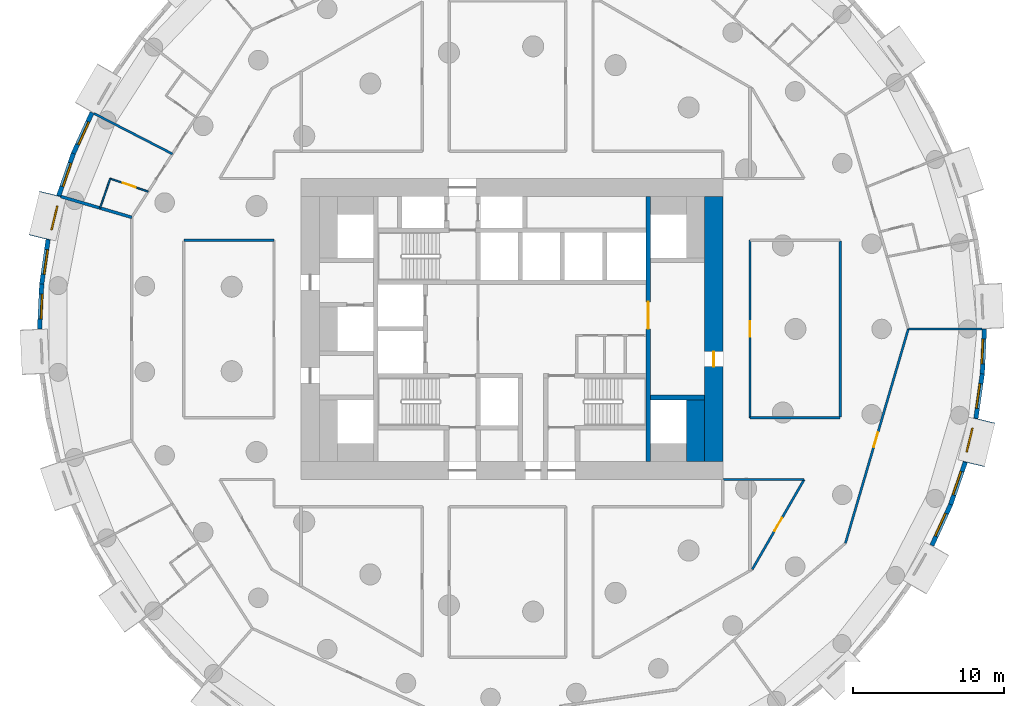
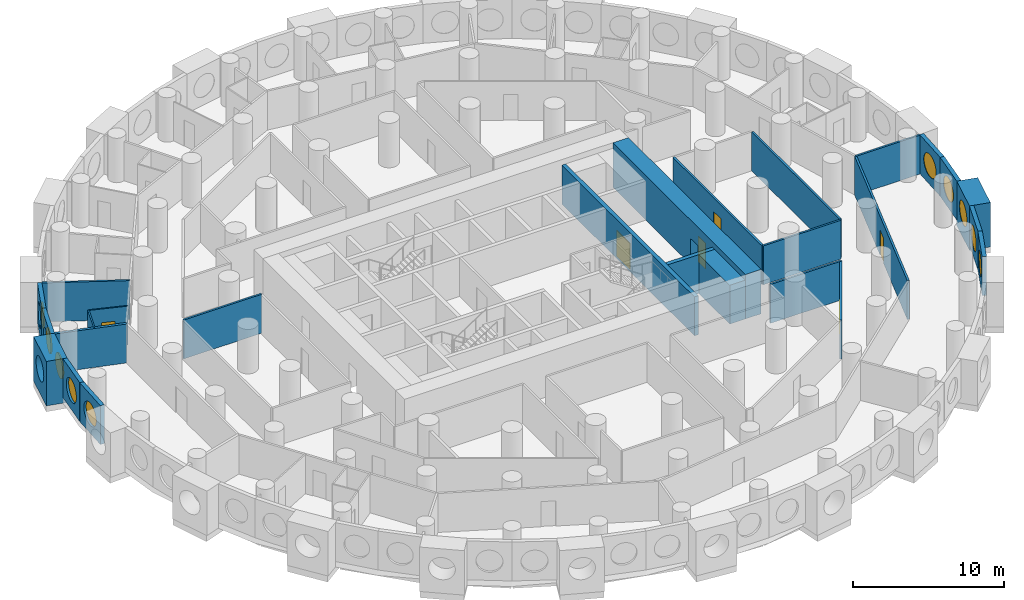
# One storey, part 6 of 12: 26 walls, 10 windows, 6 doors, 16 openings.
"""IFC4 building model written with IfcOpenShell, lengths in metres."""

from ifc_helpers import new_model, si_unit, direction, frame, frame_2d, origin, origin_2d, place, context, subcontext, project, spatial, rectangle, circle, extrude, material, layer, layer_set, type_object, element, fill, save


model = new_model("IFC4")

# Units and contexts
model_context = context("Model", 3, precision=1e-05, world=origin(), true_north=direction((0.0, 1.0)))
body_context = subcontext(model_context, "Body", "Model", "MODEL_VIEW")
ifc_project = project(units=[si_unit("LENGTHUNIT", "METRE"), si_unit("AREAUNIT", "SQUARE_METRE"), si_unit("VOLUMEUNIT", "CUBIC_METRE"), si_unit("PLANEANGLEUNIT", "RADIAN"), si_unit("MASSUNIT", "GRAM", prefix="KILO")], contexts=[model_context])

# Site, building, storey
site_placement = place(None, origin())
site = spatial("IfcSite", under=ifc_project, at=site_placement, CompositionType="ELEMENT")
building_placement = place(site_placement, origin())
building = spatial("IfcBuilding", under=site, at=building_placement, Name="Tracery Tower", CompositionType="ELEMENT")
storey_placement = place(building_placement, frame((0.0, 0.0, 82.199951171875)))
storey = spatial("IfcBuildingStorey", under=building, at=storey_placement, Name="L20", CompositionType="ELEMENT", Elevation=82.199951171875)

# Wall
ifc_material_1 = material(Name="Concrete C60/75", Category="concrete")
ifc_layer_1 = layer(ifc_material_1, 1.199951171875)
ifc_layer_set_1 = layer_set([ifc_layer_1], Name="Core strip wall 1200 C60")
wall_type_1 = type_object("IfcWallType", Name="Core strip wall 1200 C60", PredefinedType="SOLIDWALL", material=ifc_layer_set_1)
wall_1_placement = place(storey_placement, frame((12.199951171875, -8.800048828125, 0.0), z_axis=(0.0, 0.0, 1.0), x_axis=(0.0, 1.0, 0.0)))
element("IfcWall", 1, at=wall_1_placement, inside=storey, type_object=wall_type_1, Name="L20 wing strip +1 -9.4", PredefinedType="SOLIDWALL", context=body_context, shape_type="SweptSolid", body=[
    extrude(rectangle(XDim=4.10009765625, YDim=1.199951171875, at=frame_2d((2.050048828125, 0.0))), origin(), (0.0, 0.0, 1.0), 3.150146484375),
])

# Wall, opening, door
ifc_material_2 = material(Name="Concrete C60/75", Category="concrete")
ifc_layer_2 = layer(ifc_material_2, 1.199951171875)
ifc_layer_set_2 = layer_set([ifc_layer_2], Name="Core wall 1200 C60")
wall_type_2 = type_object("IfcWallType", Name="Core wall 1200 C60", PredefinedType="SOLIDWALL", material=ifc_layer_set_2)
wall_2_placement = place(storey_placement, frame((13.39990234375, -8.800048828125, 0.0), z_axis=(0.0, 0.0, 1.0), x_axis=(0.0, 1.0, 0.0)))
wall_2 = element("IfcWall", 2, at=wall_2_placement, inside=storey, type_object=wall_type_2, Name="L20 outer E", PredefinedType="SOLIDWALL", context=body_context, shape_type="SweptSolid", body=[
    extrude(rectangle(XDim=17.60009765625, YDim=1.199951171875, at=frame_2d((8.800048828125, 0.0))), origin(), (0.0, 0.0, 1.0), 3.60009765625),
])
opening_1_placement = place(wall_2_placement, frame((6.300048828125, 0.0, 0.0)))
opening_1 = element("IfcOpeningElement", 3, at=opening_1_placement, cuts=wall_2, Name="Opening KD18", PredefinedType="OPENING", context=body_context, shape_type="SweptSolid", body=[
    extrude(rectangle(XDim=1.0, YDim=2.10009765625, at=frame_2d((0.5, 1.050048828125))), frame((0.0, 0.60009765625, 0.0), z_axis=(0.0, -1.0, 0.0), x_axis=(1.0, 0.0, 0.0)), (0.0, 0.0, 1.0), 1.199951171875),
])
ifc_material_3 = material(Name="Steel fire door", Category="steel")
door_type_1 = type_object("IfcDoorType", Name="Core exit door 1000", OperationType="NOTDEFINED", PredefinedType="DOOR", material=ifc_material_3)
door_1_placement = place(opening_1_placement, origin())
door_1 = element("IfcDoor", 4, at=door_1_placement, inside=storey, type_object=door_type_1, Name="Core exit door", OperationType="DOUBLE_DOOR_SINGLE_SWING", OverallHeight=2.10009765625, OverallWidth=1.0, PredefinedType="DOOR", context=body_context, shape_type="SweptSolid", body=[
    extrude(rectangle(XDim=1.0, YDim=2.10009765625, at=frame_2d((0.5, 1.050048828125))), frame((0.0, 0.02490234375, 0.0), z_axis=(0.0, -1.0, 0.0), x_axis=(1.0, 0.0, 0.0)), (0.0, 0.0, 1.0), 0.050048828125),
])
fill(opening_1, door_1)

# Wall, opening, window
ifc_material_4 = material(Name="Precast concrete C50/60", Category="concrete")
ifc_layer_3 = layer(ifc_material_4, 1.449951171875)
ifc_layer_set_3 = layer_set([ifc_layer_3], Name="Deep-set bay unit 3000 x 3600, slab edge 450")
wall_type_3 = type_object("IfcWallType", Name="Deep-set bay unit 3000 x 3600, slab edge 450", PredefinedType="ELEMENTEDWALL", material=ifc_layer_set_3)
wall_3_placement = place(storey_placement, frame((-30.66064453125, 8.981689453125, -0.449951171875), z_axis=(0.0, 0.0, 1.0), x_axis=(-0.235751415068, -0.971813392732, 0.0)))
wall_3 = element("IfcWall", 5, at=wall_3_placement, inside=storey, type_object=wall_type_3, Name="Deep-set bay unit 31 at L20", PredefinedType="ELEMENTEDWALL", context=body_context, shape_type="SweptSolid", body=[
    extrude(rectangle(XDim=3.0, YDim=1.449951171875, at=frame_2d((1.5, 0.0))), origin(), (0.0, 0.0, 1.0), 3.60009765625),
])
opening_2_placement = place(wall_3_placement, frame((1.5, 0.0, 2.0)))
opening_2 = element("IfcOpeningElement", 6, at=opening_2_placement, cuts=wall_3, Name="Opening WN1", PredefinedType="OPENING", context=body_context, shape_type="SweptSolid", body=[
    extrude(circle(Radius=0.9000244140625, at=origin_2d()), frame((0.0, 0.73486328125, 0.0), z_axis=(0.0, -1.0, 0.0), x_axis=(1.0, 0.0, 0.0)), (0.0, 0.0, 1.0), 1.469970703125),
])
ifc_material_5 = material(Name="Aluminium frame with tinted double glazing", Category="aluminium")
window_type = type_object("IfcWindowType", Name="Round window 1800", PartitioningType="SINGLE_PANEL", PredefinedType="WINDOW", material=ifc_material_5)
window_1_placement = place(opening_2_placement, origin())
window_1 = element("IfcWindow", 7, at=window_1_placement, inside=storey, type_object=window_type, Name="Round window 31 at L20", OverallHeight=1.800048828125, OverallWidth=1.800048828125, PartitioningType="SINGLE_PANEL", PredefinedType="WINDOW", context=body_context, shape_type="SweptSolid", body=[
    extrude(circle(Radius=0.9000244140625, at=origin_2d()), frame((0.0, 0.69482421875, 0.0), z_axis=(0.0, -1.0, 0.0), x_axis=(1.0, 0.0, 0.0)), (0.0, 0.0, 1.0), 0.10009765625),
])
fill(opening_2, window_1)

wall_4_placement = place(storey_placement, frame((30.66064453125, -8.981689453125, -0.449951171875), z_axis=(0.0, 0.0, 1.0), x_axis=(0.235751415068, 0.971813392732, 0.0)))
wall_4 = element("IfcWall", 8, at=wall_4_placement, inside=storey, type_object=wall_type_3, Name="Deep-set bay unit 64 at L20", PredefinedType="ELEMENTEDWALL", context=body_context, shape_type="SweptSolid", body=[
    extrude(rectangle(XDim=3.0, YDim=1.449951171875, at=frame_2d((1.5, 0.0))), origin(), (0.0, 0.0, 1.0), 3.60009765625),
])
opening_3_placement = place(wall_4_placement, frame((1.5, 0.0, 2.0)))
opening_3 = element("IfcOpeningElement", 9, at=opening_3_placement, cuts=wall_4, Name="Opening WN1", PredefinedType="OPENING", context=body_context, shape_type="SweptSolid", body=[
    extrude(circle(Radius=0.9000244140625, at=origin_2d()), frame((0.0, 0.73486328125, 0.0), z_axis=(0.0, -1.0, 0.0), x_axis=(1.0, 0.0, 0.0)), (0.0, 0.0, 1.0), 1.469970703125),
])
window_2_placement = place(opening_3_placement, origin())
window_2 = element("IfcWindow", 10, at=window_2_placement, inside=storey, type_object=window_type, Name="Round window 64 at L20", OverallHeight=1.800048828125, OverallWidth=1.800048828125, PartitioningType="SINGLE_PANEL", PredefinedType="WINDOW", context=body_context, shape_type="SweptSolid", body=[
    extrude(circle(Radius=0.9000244140625, at=origin_2d()), frame((0.0, 0.69482421875, 0.0), z_axis=(0.0, -1.0, 0.0), x_axis=(1.0, 0.0, 0.0)), (0.0, 0.0, 1.0), 0.10009765625),
])
fill(opening_3, window_2)

ifc_material_6 = material(Name="Precast concrete C50/60", Category="concrete")
ifc_layer_4 = layer(ifc_material_6, 0.300048828125)
ifc_layer_set_4 = layer_set([ifc_layer_4], Name="Facade panel 3000 x 3150")
wall_type_4 = type_object("IfcWallType", Name="Facade panel 3000 x 3150", PredefinedType="SOLIDWALL", material=ifc_layer_set_4)
wall_5_placement = place(storey_placement, frame((-27.88916015625, 14.37109375, 0.0), z_axis=(0.0, 0.0, 1.0), x_axis=(-0.415407317162, -0.909635509888, 0.0)))
wall_5 = element("IfcWall", 11, at=wall_5_placement, inside=storey, type_object=wall_type_4, Name="Facade panel 29 at L20", PredefinedType="SOLIDWALL", context=body_context, shape_type="SweptSolid", body=[
    extrude(rectangle(XDim=2.979736328125, YDim=0.300048828125, at=frame_2d((1.48974609375, 0.0))), origin(), (0.0, 0.0, 1.0), 3.150146484375),
])
opening_4_placement = place(wall_5_placement, frame((1.48974609375, 0.0, 1.5498046875)))
opening_4 = element("IfcOpeningElement", 12, at=opening_4_placement, cuts=wall_5, Name="Opening WN1", PredefinedType="OPENING", context=body_context, shape_type="SweptSolid", body=[
    extrude(circle(Radius=0.9000244140625, at=origin_2d()), frame((0.0, 0.159912109375, 0.0), z_axis=(0.0, -1.0, 0.0), x_axis=(1.0, 0.0, 0.0)), (0.0, 0.0, 1.0), 0.320068359375),
])
window_3_placement = place(opening_4_placement, origin())
window_3 = element("IfcWindow", 13, at=window_3_placement, inside=storey, type_object=window_type, Name="Round window 29 at L20", OverallHeight=1.800048828125, OverallWidth=1.800048828125, PartitioningType="SINGLE_PANEL", PredefinedType="WINDOW", context=body_context, shape_type="SweptSolid", body=[
    extrude(circle(Radius=0.9000244140625, at=origin_2d()), frame((0.0, 0.1201171875, 0.0), z_axis=(0.0, -1.0, 0.0), x_axis=(1.0, 0.0, 0.0)), (0.0, 0.0, 1.0), 0.10009765625),
])
fill(opening_4, window_3)

wall_6_placement = place(storey_placement, frame((-29.126953125, 11.66064453125, 0.0), z_axis=(0.0, 0.0, 1.0), x_axis=(-0.327096492592, -0.944990944154, 0.0)))
wall_6 = element("IfcWall", 14, at=wall_6_placement, inside=storey, type_object=wall_type_4, Name="Facade panel 30 at L20", PredefinedType="SOLIDWALL", context=body_context, shape_type="SweptSolid", body=[
    extrude(rectangle(XDim=2.9794921875, YDim=0.300048828125, at=frame_2d((1.48974609375, 0.0))), origin(), (0.0, 0.0, 1.0), 3.150146484375),
])
opening_5_placement = place(wall_6_placement, frame((1.48974609375, 0.0, 1.5498046875)))
opening_5 = element("IfcOpeningElement", 15, at=opening_5_placement, cuts=wall_6, Name="Opening WN1", PredefinedType="OPENING", context=body_context, shape_type="SweptSolid", body=[
    extrude(circle(Radius=0.9000244140625, at=origin_2d()), frame((0.0, 0.159912109375, 0.0), z_axis=(0.0, -1.0, 0.0), x_axis=(1.0, 0.0, 0.0)), (0.0, 0.0, 1.0), 0.320068359375),
])
window_4_placement = place(opening_5_placement, origin())
window_4 = element("IfcWindow", 16, at=window_4_placement, inside=storey, type_object=window_type, Name="Round window 30 at L20", OverallHeight=1.800048828125, OverallWidth=1.800048828125, PartitioningType="SINGLE_PANEL", PredefinedType="WINDOW", context=body_context, shape_type="SweptSolid", body=[
    extrude(circle(Radius=0.9000244140625, at=origin_2d()), frame((0.0, 0.1201171875, 0.0), z_axis=(0.0, -1.0, 0.0), x_axis=(1.0, 0.0, 0.0)), (0.0, 0.0, 1.0), 0.10009765625),
])
fill(opening_5, window_4)

wall_7_placement = place(storey_placement, frame((-30.808349609375, 5.931640625, 0.0), z_axis=(0.0, 0.0, 1.0), x_axis=(-0.142327539111, -0.989819615693, 0.0)))
wall_7 = element("IfcWall", 17, at=wall_7_placement, inside=storey, type_object=wall_type_4, Name="Facade panel 32 at L20", PredefinedType="SOLIDWALL", context=body_context, shape_type="SweptSolid", body=[
    extrude(rectangle(XDim=2.9794921875, YDim=0.300048828125, at=frame_2d((1.48974609375, 0.0))), origin(), (0.0, 0.0, 1.0), 3.150146484375),
])
opening_6_placement = place(wall_7_placement, frame((1.48974609375, 0.0, 1.5498046875)))
opening_6 = element("IfcOpeningElement", 18, at=opening_6_placement, cuts=wall_7, Name="Opening WN1", PredefinedType="OPENING", context=body_context, shape_type="SweptSolid", body=[
    extrude(circle(Radius=0.9000244140625, at=origin_2d()), frame((0.0, 0.159912109375, 0.0), z_axis=(0.0, -1.0, 0.0), x_axis=(1.0, 0.0, 0.0)), (0.0, 0.0, 1.0), 0.320068359375),
])
window_5_placement = place(opening_6_placement, origin())
window_5 = element("IfcWindow", 19, at=window_5_placement, inside=storey, type_object=window_type, Name="Round window 32 at L20", OverallHeight=1.800048828125, OverallWidth=1.800048828125, PartitioningType="SINGLE_PANEL", PredefinedType="WINDOW", context=body_context, shape_type="SweptSolid", body=[
    extrude(circle(Radius=0.9000244140625, at=origin_2d()), frame((0.0, 0.1201171875, 0.0), z_axis=(0.0, -1.0, 0.0), x_axis=(1.0, 0.0, 0.0)), (0.0, 0.0, 1.0), 0.10009765625),
])
fill(opening_6, window_5)

wall_8_placement = place(storey_placement, frame((-31.232421875, 2.982421875, 0.0), z_axis=(0.0, 0.0, 1.0), x_axis=(-0.047522328113, -0.998870175914, 0.0)))
wall_8 = element("IfcWall", 20, at=wall_8_placement, inside=storey, type_object=wall_type_4, Name="Facade panel 33 at L20", PredefinedType="SOLIDWALL", context=body_context, shape_type="SweptSolid", body=[
    extrude(rectangle(XDim=2.979736328125, YDim=0.300048828125, at=frame_2d((1.48974609375, 0.0))), origin(), (0.0, 0.0, 1.0), 3.150146484375),
])
opening_7_placement = place(wall_8_placement, frame((1.48974609375, 0.0, 1.5498046875)))
opening_7 = element("IfcOpeningElement", 21, at=opening_7_placement, cuts=wall_8, Name="Opening WN1", PredefinedType="OPENING", context=body_context, shape_type="SweptSolid", body=[
    extrude(circle(Radius=0.9000244140625, at=origin_2d()), frame((0.0, 0.159912109375, 0.0), z_axis=(0.0, -1.0, 0.0), x_axis=(1.0, 0.0, 0.0)), (0.0, 0.0, 1.0), 0.320068359375),
])
window_6_placement = place(opening_7_placement, origin())
window_6 = element("IfcWindow", 22, at=window_6_placement, inside=storey, type_object=window_type, Name="Round window 33 at L20", OverallHeight=1.800048828125, OverallWidth=1.800048828125, PartitioningType="SINGLE_PANEL", PredefinedType="WINDOW", context=body_context, shape_type="SweptSolid", body=[
    extrude(circle(Radius=0.9000244140625, at=origin_2d()), frame((0.0, 0.1201171875, 0.0), z_axis=(0.0, -1.0, 0.0), x_axis=(1.0, 0.0, 0.0)), (0.0, 0.0, 1.0), 0.10009765625),
])
fill(opening_7, window_6)

wall_9_placement = place(storey_placement, frame((27.88916015625, -14.37109375, 0.0), z_axis=(0.0, 0.0, 1.0), x_axis=(0.415407317162, 0.909635509888, 0.0)))
wall_9 = element("IfcWall", 23, at=wall_9_placement, inside=storey, type_object=wall_type_4, Name="Facade panel 62 at L20", PredefinedType="SOLIDWALL", context=body_context, shape_type="SweptSolid", body=[
    extrude(rectangle(XDim=2.979736328125, YDim=0.300048828125, at=frame_2d((1.48974609375, 0.0))), origin(), (0.0, 0.0, 1.0), 3.150146484375),
])
opening_8_placement = place(wall_9_placement, frame((1.48974609375, 0.0, 1.5498046875)))
opening_8 = element("IfcOpeningElement", 24, at=opening_8_placement, cuts=wall_9, Name="Opening WN1", PredefinedType="OPENING", context=body_context, shape_type="SweptSolid", body=[
    extrude(circle(Radius=0.9000244140625, at=origin_2d()), frame((0.0, 0.159912109375, 0.0), z_axis=(0.0, -1.0, 0.0), x_axis=(1.0, 0.0, 0.0)), (0.0, 0.0, 1.0), 0.320068359375),
])
window_7_placement = place(opening_8_placement, origin())
window_7 = element("IfcWindow", 25, at=window_7_placement, inside=storey, type_object=window_type, Name="Round window 62 at L20", OverallHeight=1.800048828125, OverallWidth=1.800048828125, PartitioningType="SINGLE_PANEL", PredefinedType="WINDOW", context=body_context, shape_type="SweptSolid", body=[
    extrude(circle(Radius=0.9000244140625, at=origin_2d()), frame((0.0, 0.1201171875, 0.0), z_axis=(0.0, -1.0, 0.0), x_axis=(1.0, 0.0, 0.0)), (0.0, 0.0, 1.0), 0.10009765625),
])
fill(opening_8, window_7)

wall_10_placement = place(storey_placement, frame((29.126953125, -11.66064453125, 0.0), z_axis=(0.0, 0.0, 1.0), x_axis=(0.327096492592, 0.944990944154, 0.0)))
wall_10 = element("IfcWall", 26, at=wall_10_placement, inside=storey, type_object=wall_type_4, Name="Facade panel 63 at L20", PredefinedType="SOLIDWALL", context=body_context, shape_type="SweptSolid", body=[
    extrude(rectangle(XDim=2.9794921875, YDim=0.300048828125, at=frame_2d((1.48974609375, 0.0))), origin(), (0.0, 0.0, 1.0), 3.150146484375),
])
opening_9_placement = place(wall_10_placement, frame((1.48974609375, 0.0, 1.5498046875)))
opening_9 = element("IfcOpeningElement", 27, at=opening_9_placement, cuts=wall_10, Name="Opening WN1", PredefinedType="OPENING", context=body_context, shape_type="SweptSolid", body=[
    extrude(circle(Radius=0.9000244140625, at=origin_2d()), frame((0.0, 0.159912109375, 0.0), z_axis=(0.0, -1.0, 0.0), x_axis=(1.0, 0.0, 0.0)), (0.0, 0.0, 1.0), 0.320068359375),
])
window_8_placement = place(opening_9_placement, origin())
window_8 = element("IfcWindow", 28, at=window_8_placement, inside=storey, type_object=window_type, Name="Round window 63 at L20", OverallHeight=1.800048828125, OverallWidth=1.800048828125, PartitioningType="SINGLE_PANEL", PredefinedType="WINDOW", context=body_context, shape_type="SweptSolid", body=[
    extrude(circle(Radius=0.9000244140625, at=origin_2d()), frame((0.0, 0.1201171875, 0.0), z_axis=(0.0, -1.0, 0.0), x_axis=(1.0, 0.0, 0.0)), (0.0, 0.0, 1.0), 0.10009765625),
])
fill(opening_9, window_8)

wall_11_placement = place(storey_placement, frame((30.808349609375, -5.931640625, 0.0), z_axis=(0.0, 0.0, 1.0), x_axis=(0.142327539111, 0.989819615693, 0.0)))
wall_11 = element("IfcWall", 29, at=wall_11_placement, inside=storey, type_object=wall_type_4, Name="Facade panel 65 at L20", PredefinedType="SOLIDWALL", context=body_context, shape_type="SweptSolid", body=[
    extrude(rectangle(XDim=2.9794921875, YDim=0.300048828125, at=frame_2d((1.48974609375, 0.0))), origin(), (0.0, 0.0, 1.0), 3.150146484375),
])
opening_10_placement = place(wall_11_placement, frame((1.48974609375, 0.0, 1.5498046875)))
opening_10 = element("IfcOpeningElement", 30, at=opening_10_placement, cuts=wall_11, Name="Opening WN1", PredefinedType="OPENING", context=body_context, shape_type="SweptSolid", body=[
    extrude(circle(Radius=0.9000244140625, at=origin_2d()), frame((0.0, 0.159912109375, 0.0), z_axis=(0.0, -1.0, 0.0), x_axis=(1.0, 0.0, 0.0)), (0.0, 0.0, 1.0), 0.320068359375),
])
window_9_placement = place(opening_10_placement, origin())
window_9 = element("IfcWindow", 31, at=window_9_placement, inside=storey, type_object=window_type, Name="Round window 65 at L20", OverallHeight=1.800048828125, OverallWidth=1.800048828125, PartitioningType="SINGLE_PANEL", PredefinedType="WINDOW", context=body_context, shape_type="SweptSolid", body=[
    extrude(circle(Radius=0.9000244140625, at=origin_2d()), frame((0.0, 0.1201171875, 0.0), z_axis=(0.0, -1.0, 0.0), x_axis=(1.0, 0.0, 0.0)), (0.0, 0.0, 1.0), 0.10009765625),
])
fill(opening_10, window_9)

wall_12_placement = place(storey_placement, frame((31.232421875, -2.982421875, 0.0), z_axis=(0.0, 0.0, 1.0), x_axis=(0.047522328113, 0.998870175914, 0.0)))
wall_12 = element("IfcWall", 32, at=wall_12_placement, inside=storey, type_object=wall_type_4, Name="Facade panel 66 at L20", PredefinedType="SOLIDWALL", context=body_context, shape_type="SweptSolid", body=[
    extrude(rectangle(XDim=2.979736328125, YDim=0.300048828125, at=frame_2d((1.48974609375, 0.0))), origin(), (0.0, 0.0, 1.0), 3.150146484375),
])
opening_11_placement = place(wall_12_placement, frame((1.48974609375, 0.0, 1.5498046875)))
opening_11 = element("IfcOpeningElement", 33, at=opening_11_placement, cuts=wall_12, Name="Opening WN1", PredefinedType="OPENING", context=body_context, shape_type="SweptSolid", body=[
    extrude(circle(Radius=0.9000244140625, at=origin_2d()), frame((0.0, 0.159912109375, 0.0), z_axis=(0.0, -1.0, 0.0), x_axis=(1.0, 0.0, 0.0)), (0.0, 0.0, 1.0), 0.320068359375),
])
window_10_placement = place(opening_11_placement, origin())
window_10 = element("IfcWindow", 34, at=window_10_placement, inside=storey, type_object=window_type, Name="Round window 66 at L20", OverallHeight=1.800048828125, OverallWidth=1.800048828125, PartitioningType="SINGLE_PANEL", PredefinedType="WINDOW", context=body_context, shape_type="SweptSolid", body=[
    extrude(circle(Radius=0.9000244140625, at=origin_2d()), frame((0.0, 0.1201171875, 0.0), z_axis=(0.0, -1.0, 0.0), x_axis=(1.0, 0.0, 0.0)), (0.0, 0.0, 1.0), 0.10009765625),
])
fill(opening_11, window_10)

# Wall, opening, door
ifc_material_7 = material(Name="Plasterboard on steel studs", Category="steel")
ifc_layer_5 = layer(ifc_material_7, 0.10009765625)
ifc_layer_set_5 = layer_set([ifc_layer_5], Name="Partition 100 wet wall")
wall_type_5 = type_object("IfcWallType", Name="Partition 100 wet wall", PredefinedType="PARTITIONING", material=ifc_layer_set_5)
wall_13_placement = place(storey_placement, frame((-26.678955078125, 9.989013671875, 0.0), z_axis=(0.0, 0.0, 1.0), x_axis=(0.945014370431, -0.327028805578, 0.0)))
wall_13 = element("IfcWall", 35, at=wall_13_placement, inside=storey, type_object=wall_type_5, Name="Wet wall RA6-088", PredefinedType="PARTITIONING", context=body_context, shape_type="SweptSolid", body=[
    extrude(rectangle(XDim=2.666748046875, YDim=0.10009765625, at=frame_2d((1.33349609375, 0.0))), origin(), (0.0, 0.0, 1.0), 3.150146484375),
])
opening_12_placement = place(wall_13_placement, frame((0.883544921875, 0.0, 0.0)))
opening_12 = element("IfcOpeningElement", 36, at=opening_12_placement, cuts=wall_13, Name="Opening RA6-33", PredefinedType="OPENING", context=body_context, shape_type="SweptSolid", body=[
    extrude(rectangle(XDim=0.89990234375, YDim=2.0400390625, at=frame_2d((0.449951171875, 1.02001953125))), frame((0.0, 0.050048828125, 0.0), z_axis=(0.0, -1.0, 0.0), x_axis=(1.0, 0.0, 0.0)), (0.0, 0.0, 1.0), 0.10009765625),
])
ifc_material_8 = material(Name="Timber door leaf", Category="wood")
door_type_2 = type_object("IfcDoorType", Name="Door en-suite 900", OperationType="NOTDEFINED", PredefinedType="DOOR", material=ifc_material_8)
door_2_placement = place(opening_12_placement, origin())
door_2 = element("IfcDoor", 37, at=door_2_placement, inside=storey, type_object=door_type_2, Name="En-suite door RA6-33", OperationType="SINGLE_SWING_LEFT", OverallHeight=2.0400390625, OverallWidth=0.89990234375, PredefinedType="DOOR", context=body_context, shape_type="SweptSolid", body=[
    extrude(rectangle(XDim=0.89990234375, YDim=2.0400390625, at=frame_2d((0.449951171875, 1.02001953125))), frame((0.0, 0.02490234375, 0.0), z_axis=(0.0, -1.0, 0.0), x_axis=(1.0, 0.0, 0.0)), (0.0, 0.0, 1.0), 0.050048828125),
])
fill(opening_12, door_2)

# Walls
wall_14_placement = place(storey_placement, frame((-27.35595703125, 8.031982421875, 0.0), z_axis=(0.0, 0.0, 1.0), x_axis=(0.326924291943, 0.945050531632, 0.0)))
element("IfcWall", 38, at=wall_14_placement, inside=storey, type_object=wall_type_5, Name="Wet wall RA6-089", PredefinedType="PARTITIONING", context=body_context, shape_type="SweptSolid", body=[
    extrude(rectangle(XDim=2.07080078125, YDim=0.10009765625, at=frame_2d((1.035400390625, 0.0))), origin(), (0.0, 0.0, 1.0), 3.150146484375),
])
ifc_material_9 = material(Name="Plasterboard on steel studs", Category="steel")
ifc_layer_6 = layer(ifc_material_9, 0.14990234375)
ifc_layer_set_6 = layer_set([ifc_layer_6], Name="Partition 150 acoustic unit wall")
wall_type_6 = type_object("IfcWallType", Name="Partition 150 acoustic unit wall", PredefinedType="PARTITIONING", material=ifc_layer_set_6)
wall_15_placement = place(storey_placement, frame((26.319091796875, 0.0, 0.0), z_axis=(0.0, 0.0, 1.0), x_axis=(1.0, 0.0, 0.0)))
element("IfcWall", 39, at=wall_15_placement, inside=storey, type_object=wall_type_6, Name="Unit wall RA6-063", PredefinedType="PARTITIONING", context=body_context, shape_type="SweptSolid", body=[
    extrude(rectangle(XDim=4.905029296875, YDim=0.14990234375, at=frame_2d((2.45263671875, 0.0))), origin(), (0.0, 0.0, 1.0), 3.150146484375),
])
wall_16_placement = place(storey_placement, frame((-27.7529296875, 14.30810546875, 0.0), z_axis=(0.0, 0.0, 1.0), x_axis=(0.88877955153, -0.45833493079, 0.0)))
element("IfcWall", 40, at=wall_16_placement, inside=storey, type_object=wall_type_6, Name="Unit wall RA6-087", PredefinedType="PARTITIONING", context=body_context, shape_type="SweptSolid", body=[
    extrude(rectangle(XDim=5.856201171875, YDim=0.14990234375, at=frame_2d((2.92822265625, 0.0))), origin(), (0.0, 0.0, 1.0), 3.150146484375),
])
ifc_material_10 = material(Name="Plasterboard on steel studs", Category="steel")
ifc_layer_7 = layer(ifc_material_10, 0.14990234375)
ifc_layer_set_7 = layer_set([ifc_layer_7], Name="Partition 150 corridor wall")
wall_type_7 = type_object("IfcWallType", Name="Partition 150 corridor wall", PredefinedType="PARTITIONING", material=ifc_layer_set_7)
wall_17_placement = place(storey_placement, frame((14.0, -10.0, 0.0), z_axis=(0.0, 0.0, 1.0), x_axis=(1.0, 0.0, 0.0)))
element("IfcWall", 41, at=wall_17_placement, inside=storey, type_object=wall_type_7, Name="Corridor wall RA6-012", PredefinedType="PARTITIONING", context=body_context, shape_type="SweptSolid", body=[
    extrude(rectangle(XDim=5.40087890625, YDim=0.14990234375, at=frame_2d((2.700439453125, 0.0))), origin(), (0.0, 0.0, 1.0), 3.150146484375),
])

# Wall, opening, door
wall_18_placement = place(storey_placement, frame((15.800048828125, -5.904052734375, 0.0), z_axis=(0.0, 0.0, 1.0), x_axis=(0.0, 1.0, 0.0)))
wall_18 = element("IfcWall", 42, at=wall_18_placement, inside=storey, type_object=wall_type_7, Name="Corridor wall RA6-013", PredefinedType="PARTITIONING", context=body_context, shape_type="SweptSolid", body=[
    extrude(rectangle(XDim=11.80810546875, YDim=0.14990234375, at=frame_2d((5.904052734375, 0.0))), origin(), (0.0, 0.0, 1.0), 3.150146484375),
])
opening_13_placement = place(wall_18_placement, frame((5.404052734375, 0.0, 0.0)))
opening_13 = element("IfcOpeningElement", 43, at=opening_13_placement, cuts=wall_18, Name="Opening RA6-07", PredefinedType="OPENING", context=body_context, shape_type="SweptSolid", body=[
    extrude(rectangle(XDim=1.0, YDim=2.0400390625, at=frame_2d((0.5, 1.02001953125))), frame((0.0, 0.074951171875, 0.0), z_axis=(0.0, -1.0, 0.0), x_axis=(1.0, 0.0, 0.0)), (0.0, 0.0, 1.0), 0.14990234375),
])
ifc_material_11 = material(Name="Timber door leaf", Category="wood")
door_type_3 = type_object("IfcDoorType", Name="Door communal room 1000", OperationType="NOTDEFINED", PredefinedType="DOOR", material=ifc_material_11)
door_3_placement = place(opening_13_placement, origin())
door_3 = element("IfcDoor", 44, at=door_3_placement, inside=storey, type_object=door_type_3, Name="Communal room door RA6-07", OperationType="SINGLE_SWING_RIGHT", OverallHeight=2.0400390625, OverallWidth=1.0, PredefinedType="DOOR", context=body_context, shape_type="SweptSolid", body=[
    extrude(rectangle(XDim=1.0, YDim=2.0400390625, at=frame_2d((0.5, 1.02001953125))), frame((0.0, 0.02490234375, 0.0), z_axis=(0.0, -1.0, 0.0), x_axis=(1.0, 0.0, 0.0)), (0.0, 0.0, 1.0), 0.050048828125),
])
fill(opening_13, door_3)

# Walls
wall_19_placement = place(storey_placement, frame((15.800048828125, -5.89990234375, 0.0), z_axis=(0.0, 0.0, 1.0), x_axis=(1.0, 0.0, 0.0)))
element("IfcWall", 45, at=wall_19_placement, inside=storey, type_object=wall_type_7, Name="Corridor wall RA6-015", PredefinedType="PARTITIONING", context=body_context, shape_type="SweptSolid", body=[
    extrude(rectangle(XDim=5.968017578125, YDim=0.14990234375, at=frame_2d((2.98388671875, 0.0))), origin(), (0.0, 0.0, 1.0), 3.150146484375),
])
wall_20_placement = place(storey_placement, frame((21.802001953125, -5.842041015625, 0.0), z_axis=(0.0, 0.0, 1.0), x_axis=(0.0, 1.0, 0.0)))
element("IfcWall", 46, at=wall_20_placement, inside=storey, type_object=wall_type_7, Name="Corridor wall RA6-016", PredefinedType="PARTITIONING", context=body_context, shape_type="SweptSolid", body=[
    extrude(rectangle(XDim=11.68408203125, YDim=0.14990234375, at=frame_2d((5.842041015625, 0.0))), origin(), (0.0, 0.0, 1.0), 3.150146484375),
])

# Wall, opening, door
wall_21_placement = place(storey_placement, frame((15.9599609375, -15.9599609375, 0.0), z_axis=(0.0, 0.0, 1.0), x_axis=(0.499992689227, 0.86602962462, 0.0)))
wall_21 = element("IfcWall", 47, at=wall_21_placement, inside=storey, type_object=wall_type_7, Name="Corridor wall RA6-019", PredefinedType="PARTITIONING", context=body_context, shape_type="SweptSolid", body=[
    extrude(rectangle(XDim=6.8818359375, YDim=0.14990234375, at=frame_2d((3.44091796875, 0.0))), origin(), (0.0, 0.0, 1.0), 3.150146484375),
])
opening_14_placement = place(wall_21_placement, frame((2.94091796875, 0.0, 0.0)))
opening_14 = element("IfcOpeningElement", 48, at=opening_14_placement, cuts=wall_21, Name="Opening RA6-12", PredefinedType="OPENING", context=body_context, shape_type="SweptSolid", body=[
    extrude(rectangle(XDim=1.0, YDim=2.0400390625, at=frame_2d((0.5, 1.02001953125))), frame((0.0, 0.074951171875, 0.0), z_axis=(0.0, -1.0, 0.0), x_axis=(1.0, 0.0, 0.0)), (0.0, 0.0, 1.0), 0.14990234375),
])
door_4_placement = place(opening_14_placement, origin())
door_4 = element("IfcDoor", 49, at=door_4_placement, inside=storey, type_object=door_type_3, Name="Communal room door RA6-12", OperationType="SINGLE_SWING_LEFT", OverallHeight=2.0400390625, OverallWidth=1.0, PredefinedType="DOOR", context=body_context, shape_type="SweptSolid", body=[
    extrude(rectangle(XDim=1.0, YDim=2.0400390625, at=frame_2d((0.5, 1.02001953125))), frame((0.0, 0.02490234375, 0.0), z_axis=(0.0, -1.0, 0.0), x_axis=(1.0, 0.0, 0.0)), (0.0, 0.0, 1.0), 0.050048828125),
])
fill(opening_14, door_4)

wall_22_placement = place(storey_placement, frame((22.14111328125, -14.22900390625, 0.0), z_axis=(0.0, 0.0, 1.0), x_axis=(0.281730446162, 0.959493593363, 0.0)))
wall_22 = element("IfcWall", 50, at=wall_22_placement, inside=storey, type_object=wall_type_7, Name="Corridor wall RA6-022", PredefinedType="PARTITIONING", context=body_context, shape_type="SweptSolid", body=[
    extrude(rectangle(XDim=14.82958984375, YDim=0.14990234375, at=frame_2d((7.414794921875, 0.0))), origin(), (0.0, 0.0, 1.0), 3.150146484375),
])
opening_15_placement = place(wall_22_placement, frame((6.664794921875, 0.0, 0.0)))
opening_15 = element("IfcOpeningElement", 51, at=opening_15_placement, cuts=wall_22, Name="Opening RA6-42", PredefinedType="OPENING", context=body_context, shape_type="SweptSolid", body=[
    extrude(rectangle(XDim=1.0, YDim=2.0400390625, at=frame_2d((0.5, 1.02001953125))), frame((0.0, 0.074951171875, 0.0), z_axis=(0.0, -1.0, 0.0), x_axis=(1.0, 0.0, 0.0)), (0.0, 0.0, 1.0), 0.14990234375),
])
door_5_placement = place(opening_15_placement, origin())
door_5 = element("IfcDoor", 52, at=door_5_placement, inside=storey, type_object=door_type_3, Name="Communal room door RA6-42", OperationType="SINGLE_SWING_RIGHT", OverallHeight=2.0400390625, OverallWidth=1.0, PredefinedType="DOOR", context=body_context, shape_type="SweptSolid", body=[
    extrude(rectangle(XDim=1.0, YDim=2.0400390625, at=frame_2d((0.5, 1.02001953125))), frame((0.0, 0.02490234375, 0.0), z_axis=(0.0, -1.0, 0.0), x_axis=(1.0, 0.0, 0.0)), (0.0, 0.0, 1.0), 0.050048828125),
])
fill(opening_15, door_5)

# Walls
wall_23_placement = place(storey_placement, frame((-21.76806640625, 5.89990234375, 0.0), z_axis=(0.0, 0.0, 1.0), x_axis=(1.0, 0.0, 0.0)))
element("IfcWall", 53, at=wall_23_placement, inside=storey, type_object=wall_type_7, Name="Corridor wall RA6-035", PredefinedType="PARTITIONING", context=body_context, shape_type="SweptSolid", body=[
    extrude(rectangle(XDim=5.968017578125, YDim=0.14990234375, at=frame_2d((2.98388671875, 0.0))), origin(), (0.0, 0.0, 1.0), 3.150146484375),
])
ifc_material_12 = material(Name="Plasterboard on steel studs", Category="steel")
ifc_layer_8 = layer(ifc_material_12, 0.199951171875)
ifc_layer_set_8 = layer_set([ifc_layer_8], Name="Partition 200 compartment wall")
wall_type_8 = type_object("IfcWallType", Name="Partition 200 compartment wall", PredefinedType="PARTITIONING", material=ifc_layer_set_8)
wall_24_placement = place(storey_placement, frame((-29.958984375, 8.797119140625, 0.0), z_axis=(0.0, 0.0, 1.0), x_axis=(0.95941700717, -0.281991145876, 0.0)))
element("IfcWall", 54, at=wall_24_placement, inside=storey, type_object=wall_type_8, Name="Compartment wall RA6-090", PredefinedType="PARTITIONING", context=body_context, shape_type="SweptSolid", body=[
    extrude(rectangle(XDim=4.904541015625, YDim=0.199951171875, at=frame_2d((2.4521484375, 0.0))), origin(), (0.0, 0.0, 1.0), 3.150146484375),
])
ifc_material_13 = material(Name="Concrete C60/75", Category="concrete")
ifc_layer_9 = layer(ifc_material_13, 0.300048828125)
ifc_layer_set_9 = layer_set([ifc_layer_9], Name="Shaft wall 300 C60")
wall_type_9 = type_object("IfcWallType", Name="Shaft wall 300 C60", PredefinedType="SOLIDWALL", material=ifc_layer_set_9)
wall_25_placement = place(storey_placement, frame((9.199951171875, -4.550048828125, 0.0), z_axis=(0.0, 0.0, 1.0), x_axis=(1.0, 0.0, 0.0)))
element("IfcWall", 55, at=wall_25_placement, inside=storey, type_object=wall_type_9, Name="L20 wing shaft wall +1 -4.55", PredefinedType="SOLIDWALL", context=body_context, shape_type="SweptSolid", body=[
    extrude(rectangle(XDim=3.60009765625, YDim=0.300048828125, at=frame_2d((1.800048828125, 0.0))), origin(), (0.0, 0.0, 1.0), 3.150146484375),
])

# Wall, opening, door
ifc_material_14 = material(Name="Concrete C60/75", Category="concrete")
ifc_layer_10 = layer(ifc_material_14, 0.300048828125)
ifc_layer_set_10 = layer_set([ifc_layer_10], Name="Stair wall 300 C60")
wall_type_10 = type_object("IfcWallType", Name="Stair wall 300 C60", PredefinedType="SOLIDWALL", material=ifc_layer_set_10)
wall_26_placement = place(storey_placement, frame((9.050048828125, -8.800048828125, 0.0), z_axis=(0.0, 0.0, 1.0), x_axis=(0.0, 1.0, 0.0)))
wall_26 = element("IfcWall", 56, at=wall_26_placement, inside=storey, type_object=wall_type_10, Name="L20 F wall +9", PredefinedType="SOLIDWALL", context=body_context, shape_type="SweptSolid", body=[
    extrude(rectangle(XDim=17.60009765625, YDim=0.300048828125, at=frame_2d((8.800048828125, 0.0))), origin(), (0.0, 0.0, 1.0), 3.150146484375),
])
opening_16_placement = place(wall_26_placement, frame((8.800048828125, 0.0, 0.0)))
opening_16 = element("IfcOpeningElement", 57, at=opening_16_placement, cuts=wall_26, Name="Opening KD13", PredefinedType="OPENING", context=body_context, shape_type="SweptSolid", body=[
    extrude(rectangle(XDim=1.800048828125, YDim=2.10009765625, at=frame_2d((0.89990234375, 1.050048828125))), frame((0.0, 0.14990234375, 0.0), z_axis=(0.0, -1.0, 0.0), x_axis=(1.0, 0.0, 0.0)), (0.0, 0.0, 1.0), 0.300048828125),
])
ifc_material_15 = material(Name="Steel fire door", Category="steel")
door_type_4 = type_object("IfcDoorType", Name="Core exit door 1800 double", OperationType="NOTDEFINED", PredefinedType="DOOR", material=ifc_material_15)
door_6_placement = place(opening_16_placement, origin())
door_6 = element("IfcDoor", 58, at=door_6_placement, inside=storey, type_object=door_type_4, Name="Core exit door", OperationType="DOUBLE_DOOR_SINGLE_SWING", OverallHeight=2.10009765625, OverallWidth=1.800048828125, PredefinedType="DOOR", context=body_context, shape_type="SweptSolid", body=[
    extrude(rectangle(XDim=1.800048828125, YDim=2.10009765625, at=frame_2d((0.89990234375, 1.050048828125))), frame((0.0, 0.02490234375, 0.0), z_axis=(0.0, -1.0, 0.0), x_axis=(1.0, 0.0, 0.0)), (0.0, 0.0, 1.0), 0.050048828125),
])
fill(opening_16, door_6)

save(model, "model.ifc")
